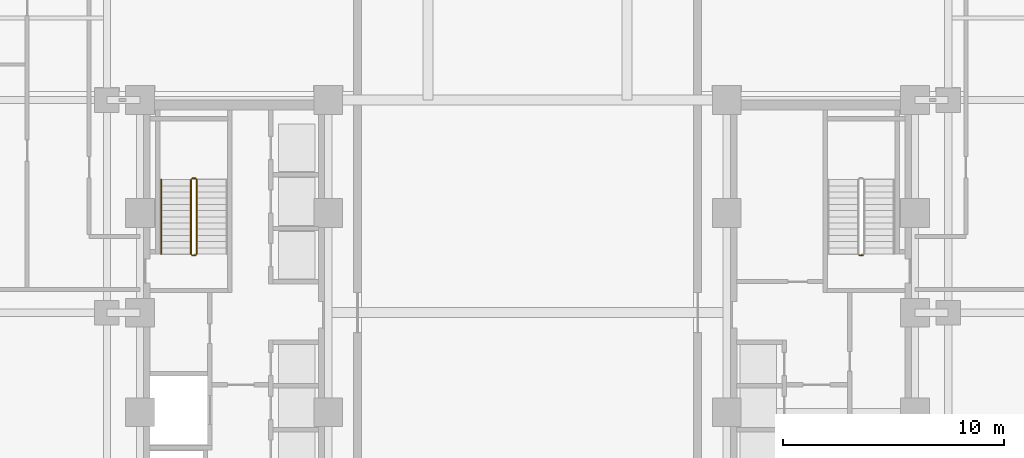
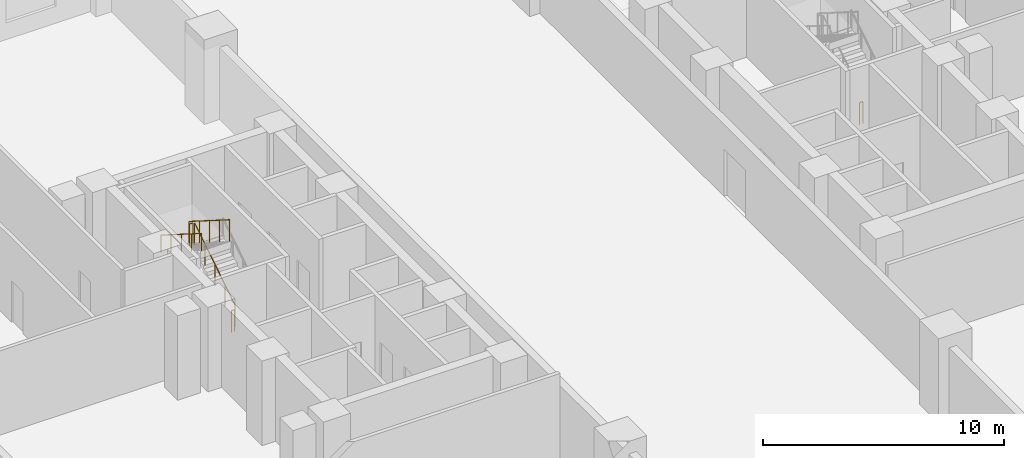
# One storey, part 17 of 20: 6 railings.
"""IFC4 building model written with IfcOpenShell, lengths in metres."""

from ifc_helpers import new_model, si_unit, direction, frame, origin, origin_2d, place, context, subcontext, project, spatial, circle, extrude, material, type_object, element, save


model = new_model("IFC4")

# Units and contexts
model_context = context("Model", 3, precision=1e-05, world=origin(), true_north=direction((0.0, 1.0)))
body_context = subcontext(model_context, "Body", "Model", "MODEL_VIEW")
ifc_project = project(units=[si_unit("LENGTHUNIT", "METRE"), si_unit("AREAUNIT", "SQUARE_METRE"), si_unit("VOLUMEUNIT", "CUBIC_METRE"), si_unit("PLANEANGLEUNIT", "RADIAN"), si_unit("MASSUNIT", "GRAM", prefix="KILO")], contexts=[model_context])

# Site, building, storey
site_placement = place(None, origin())
site = spatial("IfcSite", under=ifc_project, at=site_placement, CompositionType="ELEMENT")
building_placement = place(site_placement, origin())
building = spatial("IfcBuilding", under=site, at=building_placement, Name="Nuvemarco Arch Tower", CompositionType="ELEMENT")
storey_placement = place(building_placement, origin())
storey = spatial("IfcBuildingStorey", under=building, at=storey_placement, Name="L00", CompositionType="ELEMENT", Elevation=0.0)

# Railings
ifc_material_1 = material(Name="Brushed stainless steel handrail", Category="steel")
railing_type_1 = type_object("IfcRailingType", Name="RL-HANDRAIL-900", PredefinedType="HANDRAIL", material=ifc_material_1)
railing_1_placement = place(storey_placement, frame((-16.550048828125, 6.010009765625, 2.476806640625)))
element("IfcRailing", 1, at=railing_1_placement, inside=storey, type_object=railing_type_1, Name="L00 ST-1 stair handrail 2", PredefinedType="HANDRAIL", context=body_context, shape_type="SweptSolid", body=[
    extrude(circle(Radius=0.02392578125, at=origin_2d()), frame((0.0, 0.0, 0.8759765625), z_axis=(0.0, -0.845361898145, 0.534194029511), x_axis=(1.0, 0.0, 0.0)), (0.0, 0.0, 1.0), 3.974853515625),
    extrude(circle(Radius=0.02099609375, at=origin_2d()), origin(), (0.0, 0.0, 1.0), 0.851806640625),
    extrude(circle(Radius=0.02099609375, at=origin_2d()), frame((0.0, -0.840087890625, 0.53076171875)), (0.0, 0.0, 1.0), 0.851806640625),
    extrude(circle(Radius=0.02099609375, at=origin_2d()), frame((0.0, -1.68017578125, 1.0615234375)), (0.0, 0.0, 1.0), 0.851806640625),
    extrude(circle(Radius=0.02099609375, at=origin_2d()), frame((0.0, -2.52001953125, 1.592529296875)), (0.0, 0.0, 1.0), 0.851806640625),
    extrude(circle(Radius=0.02099609375, at=origin_2d()), frame((0.0, -3.360107421875, 2.123291015625)), (0.0, 0.0, 1.0), 0.851806640625),
])
ifc_material_2 = material(Name="Painted balustrade steel S355", Category="steel")
railing_type_2 = type_object("IfcRailingType", Name="RL-STAIR-GUARD", PredefinedType="GUARDRAIL", material=ifc_material_2)
railing_2_placement = place(storey_placement, frame((-14.93994140625, 2.64990234375, 0.177001953125)))
element("IfcRailing", 2, at=railing_2_placement, inside=storey, type_object=railing_type_2, Name="L00 ST-1 stair guard 1", PredefinedType="GUARDRAIL", context=body_context, shape_type="SweptSolid", body=[
    extrude(circle(Radius=0.02392578125, at=origin_2d()), frame((0.0, 0.0, 1.09619140625), z_axis=(0.0, 0.845389635667, 0.534150132366), x_axis=(-1.0, 0.0, 0.0)), (0.0, 0.0, 1.0), 3.974609375),
    extrude(circle(Radius=0.02099609375, at=origin_2d()), origin(), (0.0, 0.0, 1.0), 1.072021484375),
    extrude(circle(Radius=0.02099609375, at=origin_2d()), frame((0.0, 0.840087890625, 0.53076171875)), (0.0, 0.0, 1.0), 1.072021484375),
    extrude(circle(Radius=0.02099609375, at=origin_2d()), frame((0.0, 1.68017578125, 1.0615234375)), (0.0, 0.0, 1.0), 1.072021484375),
    extrude(circle(Radius=0.02099609375, at=origin_2d()), frame((0.0, 2.52001953125, 1.59228515625)), (0.0, 0.0, 1.0), 1.072021484375),
    extrude(circle(Radius=0.02099609375, at=origin_2d()), frame((0.0, 3.360107421875, 2.123046875)), (0.0, 0.0, 1.0), 1.072021484375),
])
railing_3_placement = place(storey_placement, frame((-14.989990234375, 6.06005859375, 2.300048828125)))
element("IfcRailing", 3, at=railing_3_placement, inside=storey, type_object=railing_type_2, Name="L00 ST-1 stair guard 2", PredefinedType="GUARDRAIL", context=body_context, shape_type="SweptSolid", body=[
    extrude(circle(Radius=0.02392578125, at=origin_2d()), frame((0.0, 0.0, 1.09619140625), z_axis=(-1.0, 0.0, 0.0), x_axis=(0.0, -1.0, 0.0)), (0.0, 0.0, 1.0), 0.159912109375),
    extrude(circle(Radius=0.02099609375, at=origin_2d()), origin(), (0.0, 0.0, 1.0), 1.072021484375),
    extrude(circle(Radius=0.02099609375, at=origin_2d()), frame((-0.159912109375, 0.0, 0.0)), (0.0, 0.0, 1.0), 1.072021484375),
])
railing_4_placement = place(storey_placement, frame((-15.199951171875, 6.010009765625, 2.476806640625)))
element("IfcRailing", 4, at=railing_4_placement, inside=storey, type_object=railing_type_2, Name="L00 ST-1 stair guard 3", PredefinedType="GUARDRAIL", context=body_context, shape_type="SweptSolid", body=[
    extrude(circle(Radius=0.02392578125, at=origin_2d()), frame((0.0, 0.0, 1.09619140625), z_axis=(0.0, -0.845361898145, 0.534194029511), x_axis=(1.0, 0.0, 0.0)), (0.0, 0.0, 1.0), 3.974853515625),
    extrude(circle(Radius=0.02099609375, at=origin_2d()), origin(), (0.0, 0.0, 1.0), 1.072021484375),
    extrude(circle(Radius=0.02099609375, at=origin_2d()), frame((0.0, -0.840087890625, 0.53076171875)), (0.0, 0.0, 1.0), 1.072021484375),
    extrude(circle(Radius=0.02099609375, at=origin_2d()), frame((0.0, -1.68017578125, 1.0615234375)), (0.0, 0.0, 1.0), 1.072021484375),
    extrude(circle(Radius=0.02099609375, at=origin_2d()), frame((0.0, -2.52001953125, 1.592529296875)), (0.0, 0.0, 1.0), 1.072021484375),
    extrude(circle(Radius=0.02099609375, at=origin_2d()), frame((0.0, -3.360107421875, 2.123291015625)), (0.0, 0.0, 1.0), 1.072021484375),
])
for number, where, name in (
    (5, (-14.989990234375, 2.60009765625, 0.0), "L00 ST-1 stair guard 4"),
    (6, (15.14990234375, 2.60009765625, 0.0), "L00 ST-2 stair guard 4"),
):
    element("IfcRailing", number, at=place(storey_placement, frame(where)), inside=storey, type_object=railing_type_2, Name=name, PredefinedType="GUARDRAIL", context=body_context, shape_type="SweptSolid", body=[
        extrude(circle(Radius=0.02392578125, at=origin_2d()), frame((0.0, 0.0, 1.09619140625), z_axis=(-1.0, 0.0, 0.0), x_axis=(0.0, -1.0, 0.0)), (0.0, 0.0, 1.0), 0.159912109375),
        extrude(circle(Radius=0.02099609375, at=origin_2d()), origin(), (0.0, 0.0, 1.0), 1.072021484375),
        extrude(circle(Radius=0.02099609375, at=origin_2d()), frame((-0.159912109375, 0.0, 0.0)), (0.0, 0.0, 1.0), 1.072021484375),
    ])

save(model, "model.ifc")
